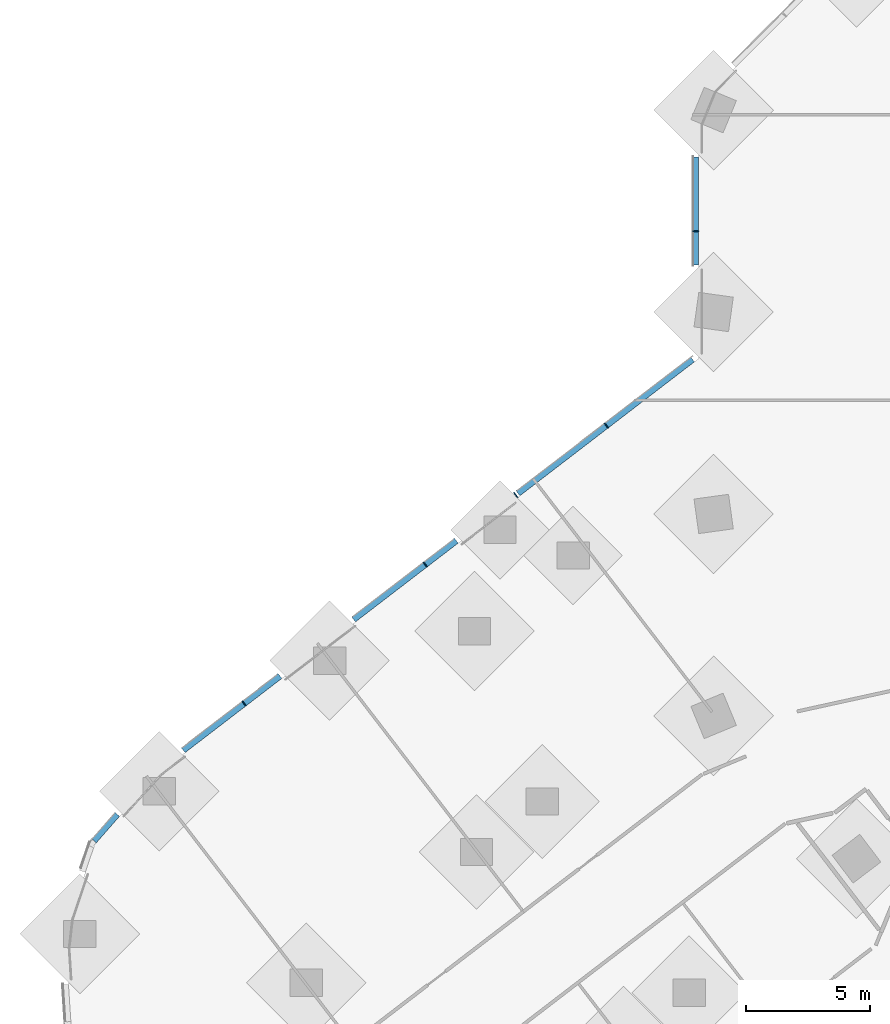
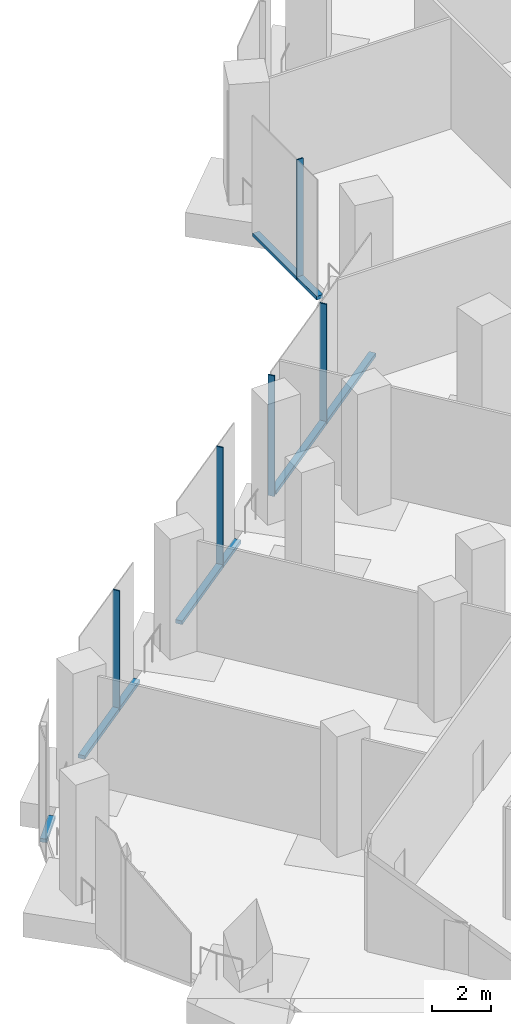
# One storey, part 5 of 27: 10 members, 3 elements without a shape of their own.
"""IFC4 building model written with IfcOpenShell, lengths in metres."""

from ifc_helpers import new_model, si_unit, direction, frame, origin, origin_2d, place, context, subcontext, project, spatial, rectangle, extrude, material, material_profile, profile_set, type_object, element, aggregate, save


model = new_model("IFC4")

# Units and contexts
model_context = context("Model", 3, precision=1e-05, world=origin(), true_north=direction((0.0, 1.0)))
body_context = subcontext(model_context, "Body", "Model", "MODEL_VIEW")
ifc_project = project(units=[si_unit("LENGTHUNIT", "METRE"), si_unit("AREAUNIT", "SQUARE_METRE"), si_unit("VOLUMEUNIT", "CUBIC_METRE"), si_unit("PLANEANGLEUNIT", "RADIAN"), si_unit("MASSUNIT", "GRAM", prefix="KILO")], contexts=[model_context])

# Site, building, storey
site_placement = place(None, origin())
site = spatial("IfcSite", under=ifc_project, at=site_placement, CompositionType="ELEMENT")
building_placement = place(site_placement, origin())
building = spatial("IfcBuilding", under=site, at=building_placement, Name="Orlundy Tower", CompositionType="ELEMENT")
storey_placement = place(building_placement, frame((0.0, 0.0, 10.5)))
storey = spatial("IfcBuildingStorey", under=building, at=storey_placement, Name="L01", CompositionType="ELEMENT", Elevation=10.5)

# Curtain wall, members
ifc_material_1 = material(Name="Aluminium bronze anodised", Category="aluminium")
curtain_wall_type = type_object("IfcCurtainWallType", Name="CW2 wall", PredefinedType="NOTDEFINED", material=ifc_material_1)
curtain_wall_1_placement = place(storey_placement, origin())
curtain_wall_1 = element("IfcCurtainWall", 1, at=curtain_wall_1_placement, inside=storey, type_object=curtain_wall_type, Name="CW2 run 012", PredefinedType="NOTDEFINED")
ifc_material_2 = material(Name="Aluminium bronze anodised", Category="aluminium")
ifc_material_profile_1 = material_profile(ifc_material_2, rectangle(XDim=0.25, YDim=0.050048828125, at=origin_2d()), Name="CW2 mullion 50x250")
ifc_profile_set_1 = profile_set([ifc_material_profile_1], Name="Aluminium bronze anodised")
member_type_1 = type_object("IfcMemberType", Name="CW2 mullion 50x250", PredefinedType="MULLION", material=ifc_profile_set_1)
member_1_placement = place(storey_placement, frame((-48.278564453125, -11.67822265625, -0.39990234375), z_axis=(0.0, 0.0, 1.0), x_axis=(-0.608767752232, 0.793348488271, 0.0)))
member_1 = element("IfcMember", 2, at=member_1_placement, type_object=member_type_1, Name="CW2 mullion 27", PredefinedType="MULLION", context=body_context, shape_type="SweptSolid", body=[
    extrude(rectangle(XDim=0.25, YDim=0.050048828125, at=origin_2d()), origin(), (0.0, 0.0, 1.0), 5.0),
])
member_2_placement = place(storey_placement, frame((-40.99755859375, -6.09130859375, -0.39990234375), z_axis=(0.0, 0.0, 1.0), x_axis=(-0.608767752232, 0.793348488271, 0.0)))
member_2 = element("IfcMember", 3, at=member_2_placement, type_object=member_type_1, Name="CW2 mullion 29", PredefinedType="MULLION", context=body_context, shape_type="SweptSolid", body=[
    extrude(rectangle(XDim=0.25, YDim=0.050048828125, at=origin_2d()), origin(), (0.0, 0.0, 1.0), 5.0),
])
member_3_placement = place(storey_placement, frame((-37.357177734375, -3.2978515625, -0.39990234375), z_axis=(0.0, 0.0, 1.0), x_axis=(-0.608767752232, 0.793348488271, 0.0)))
member_3 = element("IfcMember", 4, at=member_3_placement, type_object=member_type_1, Name="CW2 mullion 30", PredefinedType="MULLION", context=body_context, shape_type="SweptSolid", body=[
    extrude(rectangle(XDim=0.25, YDim=0.050048828125, at=origin_2d()), origin(), (0.0, 0.0, 1.0), 5.0),
])
member_4_placement = place(storey_placement, frame((-33.716552734375, -0.50439453125, -0.39990234375), z_axis=(0.0, 0.0, 1.0), x_axis=(-0.608767752232, 0.793348488271, 0.0)))
member_4 = element("IfcMember", 5, at=member_4_placement, type_object=member_type_1, Name="CW2 mullion 31", PredefinedType="MULLION", context=body_context, shape_type="SweptSolid", body=[
    extrude(rectangle(XDim=0.25, YDim=0.050048828125, at=origin_2d()), origin(), (0.0, 0.0, 1.0), 5.0),
])

# Curtain wall, member
curtain_wall_2_placement = place(storey_placement, origin())
curtain_wall_2 = element("IfcCurtainWall", 6, at=curtain_wall_2_placement, inside=storey, type_object=curtain_wall_type, Name="CW2 run 013", PredefinedType="NOTDEFINED")
member_5_placement = place(storey_placement, frame((-30.125, 7.30810546875, -0.39990234375), z_axis=(0.0, 0.0, 1.0), x_axis=(-1.0, 0.0, 0.0)))
member_5 = element("IfcMember", 7, at=member_5_placement, type_object=member_type_1, Name="CW2 mullion 33", PredefinedType="MULLION", context=body_context, shape_type="SweptSolid", body=[
    extrude(rectangle(XDim=0.25, YDim=0.050048828125, at=origin_2d()), origin(), (0.0, 0.0, 1.0), 5.0),
])

curtain_wall_3_placement = place(storey_placement, origin())
curtain_wall_3 = element("IfcCurtainWall", 8, at=curtain_wall_3_placement, inside=storey, type_object=curtain_wall_type, Name="CW2 run 011", PredefinedType="NOTDEFINED")
ifc_material_3 = material(Name="Aluminium bronze anodised", Category="aluminium")
ifc_material_profile_2 = material_profile(ifc_material_3, rectangle(XDim=0.25, YDim=0.14990234375, at=origin_2d()), Name="CW2 transom 250x150")
ifc_profile_set_2 = profile_set([ifc_material_profile_2], Name="Aluminium bronze anodised")
member_type_2 = type_object("IfcMemberType", Name="CW2 transom 250x150", PredefinedType="USERDEFINED", material=ifc_profile_set_2)
member_6_placement = place(storey_placement, frame((-54.31494140625, -17.2001953125, -0.324951171875), z_axis=(0.659333614033, 0.751850507353, 0.0), x_axis=(-0.751850507353, 0.659333614033, 0.0)))
member_6 = element("IfcMember", 9, at=member_6_placement, type_object=member_type_2, Name="CW2 transom", ObjectType="TRANSOM", PredefinedType="USERDEFINED", context=body_context, shape_type="SweptSolid", body=[
    extrude(rectangle(XDim=0.25, YDim=0.14990234375, at=origin_2d()), origin(), (0.0, 0.0, 1.0), 1.4169921875),
])
aggregate(curtain_wall_3, [member_6])

# Member
member_7_placement = place(storey_placement, frame((-50.726318359375, -13.556396484375, -0.324951171875), z_axis=(0.793377017635, 0.608730570851, 0.0), x_axis=(-0.608730570851, 0.793377017635, 0.0)))
member_7 = element("IfcMember", 10, at=member_7_placement, type_object=member_type_2, Name="CW2 transom", ObjectType="TRANSOM", PredefinedType="USERDEFINED", context=body_context, shape_type="SweptSolid", body=[
    extrude(rectangle(XDim=0.25, YDim=0.14990234375, at=origin_2d()), origin(), (0.0, 0.0, 1.0), 4.9013671875),
])

member_8_placement = place(storey_placement, frame((-43.876953125, -8.30078125, -0.324951171875), z_axis=(0.793359382899, 0.608753554048, 0.0), x_axis=(-0.608753554048, 0.793359382899, 0.0)))
member_8 = element("IfcMember", 11, at=member_8_placement, type_object=member_type_2, Name="CW2 transom", ObjectType="TRANSOM", PredefinedType="USERDEFINED", context=body_context, shape_type="SweptSolid", body=[
    extrude(rectangle(XDim=0.25, YDim=0.14990234375, at=origin_2d()), origin(), (0.0, 0.0, 1.0), 5.2041015625),
])

member_9_placement = place(storey_placement, frame((-37.267822265625, -3.229248046875, -0.324951171875), z_axis=(0.793350864573, 0.608764655414, 0.0), x_axis=(-0.608764655414, 0.793350864573, 0.0)))
member_9 = element("IfcMember", 12, at=member_9_placement, type_object=member_type_2, Name="CW2 transom", ObjectType="TRANSOM", PredefinedType="USERDEFINED", context=body_context, shape_type="SweptSolid", body=[
    extrude(rectangle(XDim=0.25, YDim=0.14990234375, at=origin_2d()), origin(), (0.0, 0.0, 1.0), 8.845703125),
])

aggregate(curtain_wall_1, [member_1, member_2, member_3, member_4, member_7, member_8, member_9])

member_10_placement = place(storey_placement, frame((-30.125, 5.9501953125, -0.324951171875), z_axis=(0.0, 1.0, 0.0), x_axis=(-1.0, 0.0, 0.0)))
member_10 = element("IfcMember", 13, at=member_10_placement, type_object=member_type_2, Name="CW2 transom", ObjectType="TRANSOM", PredefinedType="USERDEFINED", context=body_context, shape_type="SweptSolid", body=[
    extrude(rectangle(XDim=0.25, YDim=0.14990234375, at=origin_2d()), origin(), (0.0, 0.0, 1.0), 4.33642578125),
])

aggregate(curtain_wall_2, [member_5, member_10])

save(model, "model.ifc")
